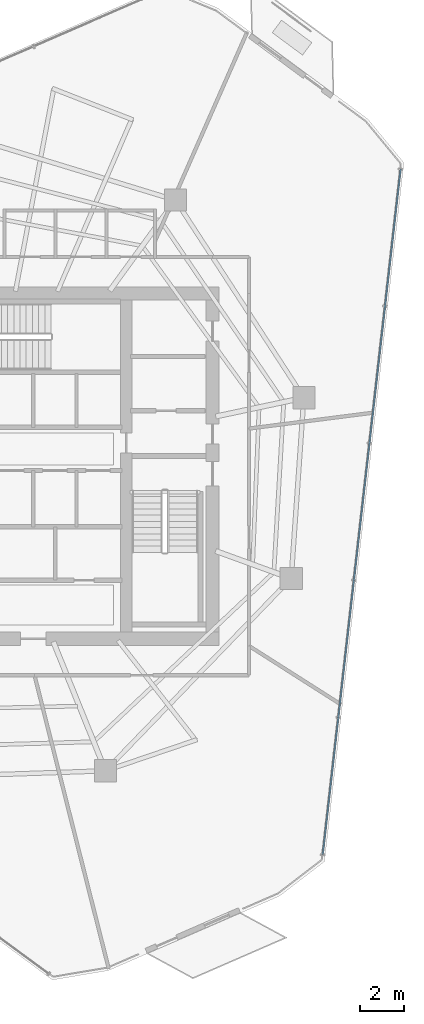
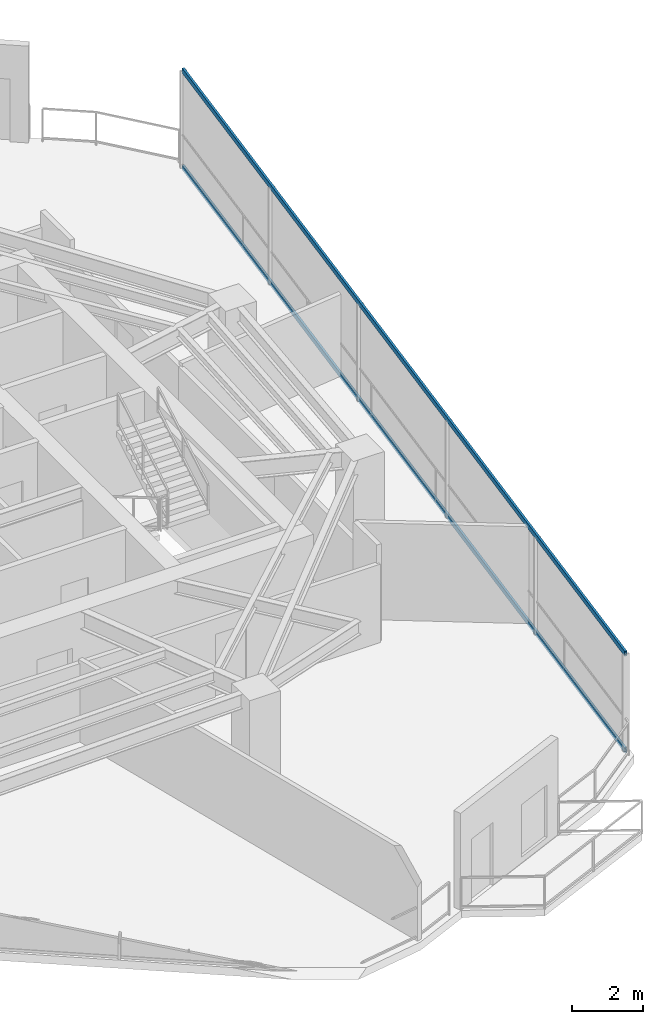
# One storey, part 11 of 22: 2 members, 1 element without a shape of its own.
"""IFC4 building model written with IfcOpenShell, lengths in metres."""

from ifc_helpers import new_model, si_unit, direction, frame, origin, origin_2d, place, context, subcontext, project, spatial, hollow_rectangle, extrude, material, layer, layer_set, material_profile, profile_set, type_object, element, aggregate, save


model = new_model("IFC4")

# Units and contexts
model_context = context("Model", 3, precision=1e-05, world=origin(), true_north=direction((0.0, 1.0)))
body_context = subcontext(model_context, "Body", "Model", "MODEL_VIEW")
ifc_project = project(units=[si_unit("LENGTHUNIT", "METRE"), si_unit("AREAUNIT", "SQUARE_METRE"), si_unit("VOLUMEUNIT", "CUBIC_METRE"), si_unit("PLANEANGLEUNIT", "RADIAN"), si_unit("MASSUNIT", "GRAM", prefix="KILO")], contexts=[model_context])

# Site, building, storey
site_placement = place(None, origin())
site = spatial("IfcSite", under=ifc_project, at=site_placement, CompositionType="ELEMENT")
building_placement = place(site_placement, origin())
building = spatial("IfcBuilding", under=site, at=building_placement, Name="Qarnah Convention Tower", CompositionType="ELEMENT")
storey_placement = place(building_placement, frame((0.0, 0.0, 154.5)))
storey = spatial("IfcBuildingStorey", under=building, at=storey_placement, Name="L41", CompositionType="ELEMENT", Elevation=154.5)

# Curtain wall, members
ifc_material_1 = material(Name="Tempered Low-E dark glass", Category="glass")
ifc_layer = layer(ifc_material_1, 0.172119140625)
ifc_layer_set = layer_set([ifc_layer], Name="Tempered Low-E dark glass")
curtain_wall_type = type_object("IfcCurtainWallType", Name="CWS-03", PredefinedType="NOTDEFINED", material=ifc_layer_set)
curtain_wall_placement = place(storey_placement, origin())
curtain_wall = element("IfcCurtainWall", 1, at=curtain_wall_placement, inside=storey, type_object=curtain_wall_type, Name="L41 unitised curtain wall CW-L41-F3", PredefinedType="NOTDEFINED")
ifc_material_2 = material(Name="Black anodised aluminium", Category="aluminium")
ifc_material_profile = material_profile(ifc_material_2, hollow_rectangle(XDim=0.070068359375, YDim=0.169921875, WallThickness=0.0048828125, at=origin_2d()), Name="TRN-70X170")
ifc_profile_set = profile_set([ifc_material_profile], Name="Black anodised aluminium")
member_type = type_object("IfcMemberType", Name="TRN-T3", PredefinedType="USERDEFINED", material=ifc_profile_set)
member_1_placement = place(storey_placement, frame((56.097900390625, 39.819091796875, 0.0), z_axis=(-0.112874895666, -0.993609207852, 0.0), x_axis=(0.993609207852, -0.112874895666, 0.0)))
member_1 = element("IfcMember", 2, at=member_1_placement, type_object=member_type, Name="CW-L41-F3 transom 1", ObjectType="TRANSOM", PredefinedType="USERDEFINED", context=body_context, shape_type="SweptSolid", body=[
    extrude(hollow_rectangle(XDim=0.070068359375, YDim=0.169921875, WallThickness=0.0048828125, at=origin_2d()), origin(), (0.0, 0.0, 1.0), 31.17431640625),
])
member_2_placement = place(storey_placement, frame((56.097900390625, 39.819091796875, 3.320068359375), z_axis=(-0.112874895666, -0.993609207852, 0.0), x_axis=(0.993609207852, -0.112874895666, 0.0)))
member_2 = element("IfcMember", 3, at=member_2_placement, type_object=member_type, Name="CW-L41-F3 transom 2", ObjectType="TRANSOM", PredefinedType="USERDEFINED", context=body_context, shape_type="SweptSolid", body=[
    extrude(hollow_rectangle(XDim=0.070068359375, YDim=0.169921875, WallThickness=0.0048828125, at=origin_2d()), origin(), (0.0, 0.0, 1.0), 31.17431640625),
])
aggregate(curtain_wall, [member_1, member_2])

save(model, "model.ifc")
